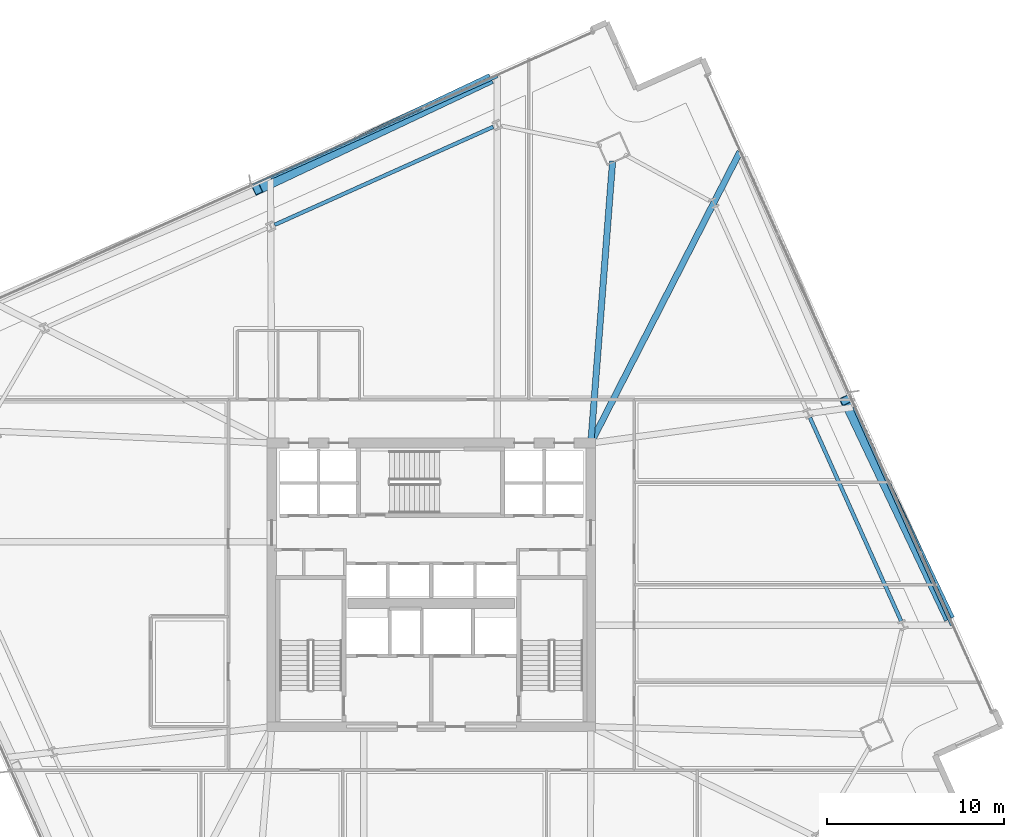
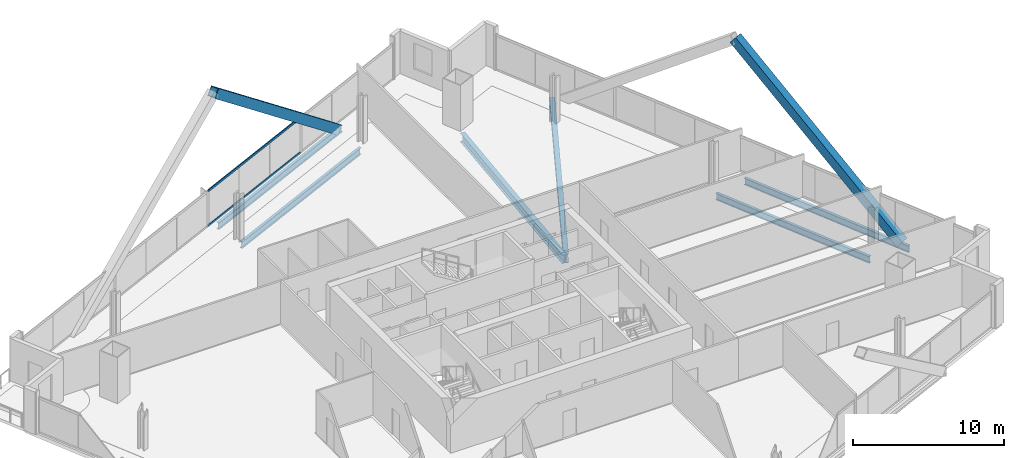
# One storey, part 19 of 38: 6 beams, 4 members, 1 element without a shape of its own.
"""IFC4 building model written with IfcOpenShell, lengths in metres."""

from ifc_helpers import new_model, si_unit, direction, frame, origin, origin_2d, place, context, subcontext, project, spatial, hollow_rectangle, i_section, extrude, material, material_profile, profile_set, type_object, element, aggregate, save


model = new_model("IFC4")

# Units and contexts
model_context = context("Model", 3, precision=1e-05, world=origin(), true_north=direction((0.0, 1.0)))
body_context = subcontext(model_context, "Body", "Model", "MODEL_VIEW")
ifc_project = project(units=[si_unit("LENGTHUNIT", "METRE"), si_unit("AREAUNIT", "SQUARE_METRE"), si_unit("VOLUMEUNIT", "CUBIC_METRE"), si_unit("PLANEANGLEUNIT", "RADIAN"), si_unit("MASSUNIT", "GRAM", prefix="KILO")], contexts=[model_context])

# Site, building, storey
site_placement = place(None, origin())
site = spatial("IfcSite", under=ifc_project, at=site_placement, CompositionType="ELEMENT")
building_placement = place(site_placement, origin())
building = spatial("IfcBuilding", under=site, at=building_placement, Name="Haldenkirk Collegiate Tower", CompositionType="ELEMENT")
storey_placement = place(building_placement, frame((0.0, 0.0, 109.199951171875)))
storey = spatial("IfcBuildingStorey", under=building, at=storey_placement, Name="L26", CompositionType="ELEMENT", Elevation=109.199951171875)

# Beams
ifc_material_1 = material(Name="Steel ASTM A992 Grade 50", Category="steel")
ifc_material_profile_1 = material_profile(ifc_material_1, i_section(OverallWidth=0.35498046875, OverallDepth=0.696044921875, WebThickness=0.015380859375, FlangeThickness=0.02490234375, at=origin_2d()), Name="W27X146")
ifc_profile_set_1 = profile_set([ifc_material_profile_1], Name="Steel ASTM A992 Grade 50")
beam_type_1 = type_object("IfcBeamType", Name="BM-GIRDER-W27X146", PredefinedType="BEAM", material=ifc_profile_set_1)
beam_1_placement = place(storey_placement, frame((46.226806640625, 49.9072265625, -0.64794921875), z_axis=(-0.076898657581, -0.997038914217, 0.0), x_axis=(0.997038914217, -0.076898657581, 0.0)))
element("IfcBeam", 1, at=beam_1_placement, inside=storey, type_object=beam_type_1, Name="L26 primary floor girder 03", PredefinedType="BEAM", context=body_context, shape_type="SweptSolid", body=[
    extrude(i_section(OverallWidth=0.35498046875, OverallDepth=0.696044921875, WebThickness=0.015380859375, FlangeThickness=0.02490234375, at=origin_2d()), origin(), (0.0, 0.0, 1.0), 15.699462890625),
])
beam_2_placement = place(storey_placement, frame((53.408203125, 50.430908203125, -0.64794921875), z_axis=(-0.455547494152, -0.890211480813, 0.0), x_axis=(0.890211480813, -0.455547494152, 0.0)))
element("IfcBeam", 2, at=beam_2_placement, inside=storey, type_object=beam_type_1, Name="L26 primary floor girder 10", PredefinedType="BEAM", context=body_context, shape_type="SweptSolid", body=[
    extrude(i_section(OverallWidth=0.35498046875, OverallDepth=0.696044921875, WebThickness=0.015380859375, FlangeThickness=0.02490234375, at=origin_2d()), origin(), (0.0, 0.0, 1.0), 18.2021484375),
])
ifc_material_profile_2 = material_profile(ifc_material_1, i_section(OverallWidth=0.2119140625, OverallDepth=0.5439453125, WebThickness=0.01318359375, FlangeThickness=0.021240234375, at=origin_2d()), Name="W21X83")
ifc_profile_set_2 = profile_set([ifc_material_profile_2], Name="Steel ASTM A992 Grade 50")
beam_type_2 = type_object("IfcBeamType", Name="BM-SPANDREL-W21X83", PredefinedType="SPANDREL", material=ifc_profile_set_2)
beam_3_placement = place(storey_placement, frame((62.50830078125, 23.951416015625, -0.572021484375), z_axis=(-0.409131045523, 0.91247563671, 0.0), x_axis=(-0.91247563671, -0.409131045523, 0.0)))
element("IfcBeam", 3, at=beam_3_placement, inside=storey, type_object=beam_type_2, Name="L26 perimeter spandrel beam 06", PredefinedType="SPANDREL", context=body_context, shape_type="SweptSolid", body=[
    extrude(i_section(OverallWidth=0.2119140625, OverallDepth=0.5439453125, WebThickness=0.01318359375, FlangeThickness=0.021240234375, at=origin_2d()), origin(), (0.0, 0.0, 1.0), 12.593994140625),
])
beam_4_placement = place(storey_placement, frame((39.4921875, 51.84033203125, -0.572021484375), z_axis=(-0.912476765144, -0.409128528793, 0.0), x_axis=(0.409128528793, -0.912476765144, 0.0)))
element("IfcBeam", 4, at=beam_4_placement, inside=storey, type_object=beam_type_2, Name="L26 perimeter spandrel beam 10", PredefinedType="SPANDREL", context=body_context, shape_type="SweptSolid", body=[
    extrude(i_section(OverallWidth=0.2119140625, OverallDepth=0.5439453125, WebThickness=0.01318359375, FlangeThickness=0.021240234375, at=origin_2d()), origin(), (0.0, 0.0, 1.0), 13.512939453125),
])
beam_5_placement = place(storey_placement, frame((65.38134765625, 23.727294921875, -0.572021484375), z_axis=(-0.409130295572, 0.912475972969, 0.0), x_axis=(-0.912475972969, -0.409130295572, 0.0)))
element("IfcBeam", 5, at=beam_5_placement, inside=storey, type_object=beam_type_2, Name="L26 outer facade edge beam 2A", PredefinedType="SPANDREL", context=body_context, shape_type="SweptSolid", body=[
    extrude(i_section(OverallWidth=0.2119140625, OverallDepth=0.5439453125, WebThickness=0.01318359375, FlangeThickness=0.021240234375, at=origin_2d()), origin(), (0.0, 0.0, 1.0), 13.474853515625),
])
beam_6_placement = place(storey_placement, frame((39.71630859375, 54.71337890625, -0.572021484375), z_axis=(-0.912484667163, -0.409110904515, 0.0), x_axis=(0.409110904515, -0.912484667163, 0.0)))
element("IfcBeam", 6, at=beam_6_placement, inside=storey, type_object=beam_type_2, Name="L26 outer facade edge beam 3A", PredefinedType="SPANDREL", context=body_context, shape_type="SweptSolid", body=[
    extrude(i_section(OverallWidth=0.2119140625, OverallDepth=0.5439453125, WebThickness=0.01318359375, FlangeThickness=0.021240234375, at=origin_2d()), origin(), (0.0, 0.0, 1.0), 14.019775390625),
])

# Curtain wall, members
ifc_material_2 = material(Name="Anodised architectural bronze aluminium", Category="aluminium")
curtain_wall_type = type_object("IfcCurtainWallType", Name="CW-SYS1-CONVEX-LOW", PredefinedType="USERDEFINED", material=ifc_material_2)
curtain_wall_placement = place(storey_placement, origin())
curtain_wall = element("IfcCurtainWall", 7, at=curtain_wall_placement, inside=storey, type_object=curtain_wall_type, Name="L26 Lower tower convex bronze-framed unitised curtain wall", ObjectType="UNITISED CURTAIN WALL", PredefinedType="USERDEFINED")
ifc_material_profile_3 = material_profile(ifc_material_2, hollow_rectangle(XDim=0.080078125, YDim=0.179931640625, WallThickness=0.0048828125, at=origin_2d()), Name="CW-TRN-1A")
ifc_profile_set_3 = profile_set([ifc_material_profile_3], Name="Anodised architectural bronze aluminium")
member_type_1 = type_object("IfcMemberType", Name="CW-TRN-1A", PredefinedType="USERDEFINED", material=ifc_profile_set_3)
member_1_placement = place(storey_placement, frame((25.9228515625, 48.57275390625, 0.0400390625), z_axis=(0.912473905675, 0.409134906189, 0.0), x_axis=(-0.409134906189, 0.912473905675, 0.0)))
member_1 = element("IfcMember", 8, at=member_1_placement, type_object=member_type_1, Name="CW-1A transom 3.1", ObjectType="TRANSOM", PredefinedType="USERDEFINED", context=body_context, shape_type="SweptSolid", body=[
    extrude(hollow_rectangle(XDim=0.080078125, YDim=0.179931640625, WallThickness=0.0048828125, at=origin_2d()), origin(), (0.0, 0.0, 1.0), 10.47021484375),
])
member_2_placement = place(storey_placement, frame((25.9228515625, 48.57275390625, 2.861083984375), z_axis=(0.912473905675, 0.409134906189, 0.0), x_axis=(-0.409134906189, 0.912473905675, 0.0)))
member_2 = element("IfcMember", 9, at=member_2_placement, type_object=member_type_1, Name="CW-1A transom 3.2", ObjectType="TRANSOM", PredefinedType="USERDEFINED", context=body_context, shape_type="SweptSolid", body=[
    extrude(hollow_rectangle(XDim=0.080078125, YDim=0.179931640625, WallThickness=0.0048828125, at=origin_2d()), origin(), (0.0, 0.0, 1.0), 10.47021484375),
])
aggregate(curtain_wall, [member_1, member_2])

# Members
ifc_material_3 = material(Name="Steel ASTM A572 Grade 50", Category="steel")
ifc_material_profile_4 = material_profile(ifc_material_3, hollow_rectangle(XDim=0.60009765625, YDim=0.719970703125, WallThickness=0.044921875, at=origin_2d()), Name="BOX720X600X45")
ifc_profile_set_4 = profile_set([ifc_material_profile_4], Name="Steel ASTM A572 Grade 50")
member_type_2 = type_object("IfcMemberType", Name="MBR-MEGABRACE-BOX720X600X45", PredefinedType="BRACE", material=ifc_profile_set_4)
member_3_placement = place(storey_placement, frame((65.135986328125, 24.27490234375, -0.31005859375), z_axis=(-0.32933326922, 0.692592864986, 0.641759083422), x_axis=(-0.903099715744, -0.429430906459, 0.0)))
element("IfcMember", 10, at=member_3_placement, inside=storey, type_object=member_type_2, Name="Perimeter Mega Brace Z2 L26-L28 EL", PredefinedType="BRACE", context=body_context, shape_type="SweptSolid", body=[
    extrude(hollow_rectangle(XDim=0.60009765625, YDim=0.719970703125, WallThickness=0.044921875, at=origin_2d()), origin(), (0.0, 0.0, 1.0), 17.530029296875),
])
member_4_placement = place(storey_placement, frame((39.168701171875, 54.468017578125, -0.31005859375), z_axis=(-0.71167743709, -0.336834342205, 0.616488322232), x_axis=(0.427800001596, -0.903873419586, 0.0)))
element("IfcMember", 11, at=member_4_placement, inside=storey, type_object=member_type_2, Name="Perimeter Mega Brace Z2 L26-L28 NL", PredefinedType="BRACE", context=body_context, shape_type="SweptSolid", body=[
    extrude(hollow_rectangle(XDim=0.60009765625, YDim=0.719970703125, WallThickness=0.044921875, at=origin_2d()), origin(), (0.0, 0.0, 1.0), 18.24853515625),
])

save(model, "model.ifc")
